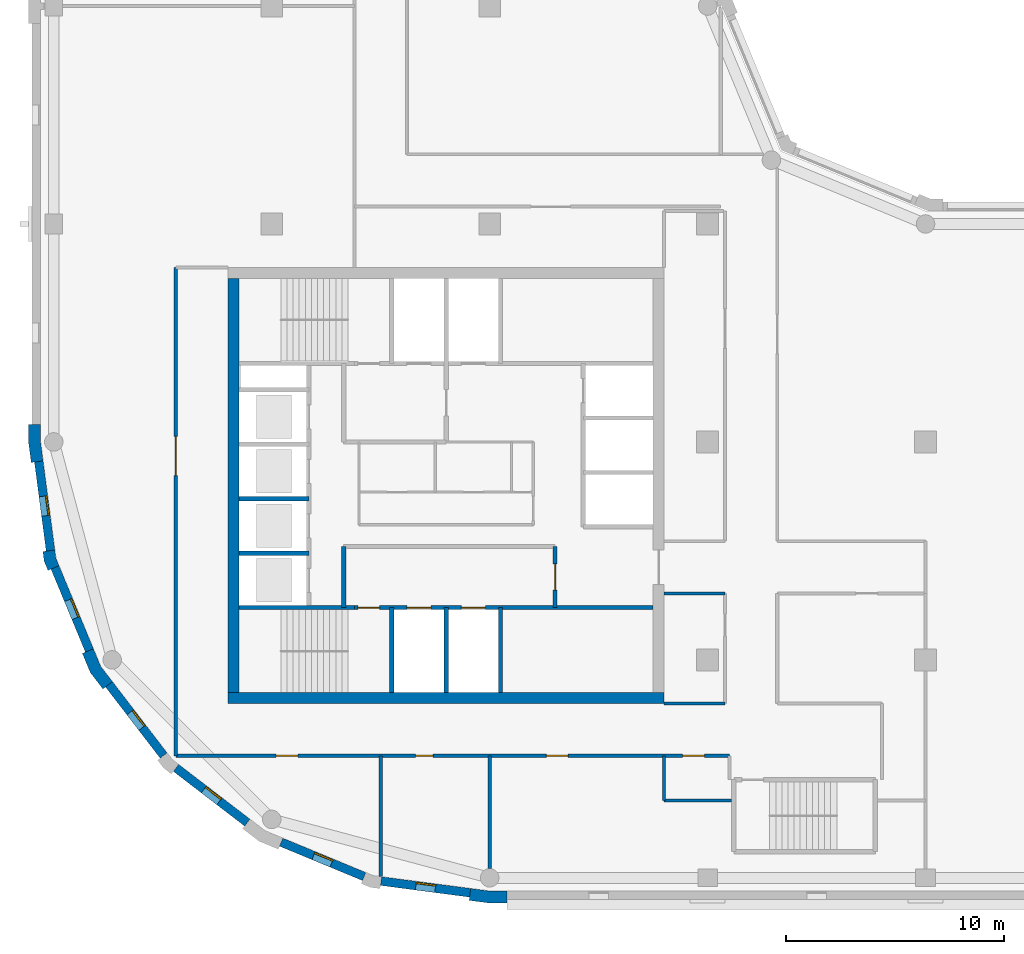
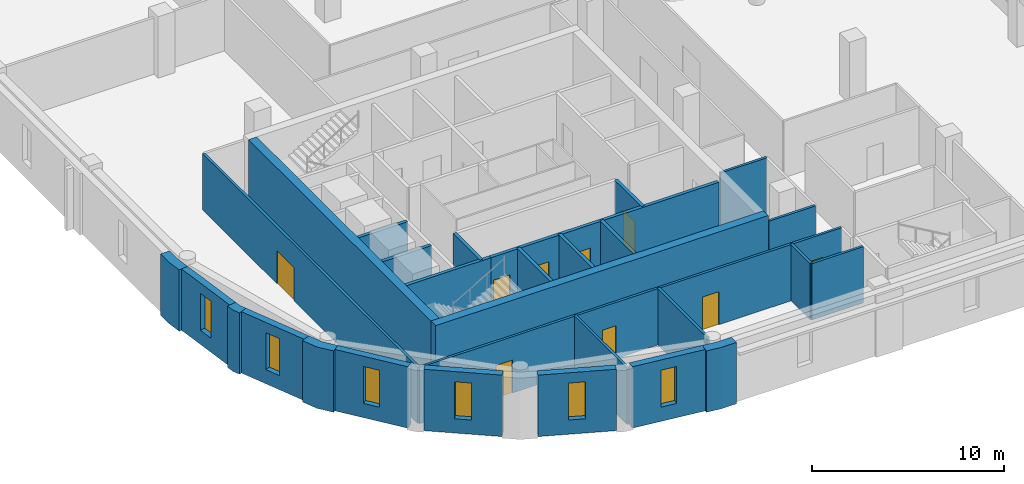
# One storey, part 2 of 9: 29 walls, 9 doors, 6 windows, 15 openings.
"""IFC4 building model written with IfcOpenShell, lengths in metres."""

from ifc_helpers import new_model, si_unit, direction, frame, frame_2d, origin, place, context, subcontext, project, spatial, polyline, rectangle, outline, extrude, material, layer, layer_set, type_object, element, fill, save


model = new_model("IFC4")

# Units and contexts
model_context = context("Model", 3, precision=1e-05, world=origin(), true_north=direction((0.0, 1.0)))
body_context = subcontext(model_context, "Body", "Model", "MODEL_VIEW")
ifc_project = project(units=[si_unit("LENGTHUNIT", "METRE"), si_unit("AREAUNIT", "SQUARE_METRE"), si_unit("VOLUMEUNIT", "CUBIC_METRE"), si_unit("PLANEANGLEUNIT", "RADIAN"), si_unit("MASSUNIT", "GRAM", prefix="KILO")], contexts=[model_context])

# Site, building, storey
site_placement = place(None, origin())
site = spatial("IfcSite", under=ifc_project, at=site_placement, CompositionType="ELEMENT")
building_placement = place(site_placement, origin())
building = spatial("IfcBuilding", under=site, at=building_placement, Name="Qaws Garden Tower", CompositionType="ELEMENT")
storey_placement = place(building_placement, frame((0.0, 0.0, 251.39990234375)))
storey = spatial("IfcBuildingStorey", under=building, at=storey_placement, Name="L60", CompositionType="ELEMENT", Elevation=251.39990234375)

# Wall, opening, window
ifc_material_1 = material(Name="Clay facing brick masonry", Category="masonry")
ifc_layer_1 = layer(ifc_material_1, 0.39990234375)
ifc_layer_set_1 = layer_set([ifc_layer_1], Name="Clay facing brick masonry")
wall_type_1 = type_object("IfcWallType", Name="Brick infill wall 400", PredefinedType="SOLIDWALL", material=ifc_layer_set_1)
wall_1_placement = place(storey_placement, frame((-0.688720703125, 19.102294921875, 0.0), z_axis=(0.0, 0.0, 1.0), x_axis=(0.130514280502, -0.991446429508, 0.0)))
wall_1 = element("IfcWall", 1, at=wall_1_placement, inside=storey, type_object=wall_type_1, Name="E-L60-infill-23", PredefinedType="SOLIDWALL", context=body_context, shape_type="SweptSolid", body=[
    extrude(rectangle(XDim=4.120849609375, YDim=0.39990234375, at=frame_2d((2.060546875, 0.0))), origin(), (0.0, 0.0, 1.0), 3.900146484375),
])
opening_1_placement = place(wall_1_placement, frame((1.610595703125, 0.0, 0.89990234375)))
opening_1 = element("IfcOpeningElement", 2, at=opening_1_placement, cuts=wall_1, Name="Opening W09", PredefinedType="OPENING", context=body_context, shape_type="SweptSolid", body=[
    extrude(rectangle(XDim=0.89990234375, YDim=2.35009765625, at=frame_2d((0.449951171875, 1.175048828125))), frame((0.0, 0.2099609375, 0.0), z_axis=(0.0, -1.0, 0.0), x_axis=(1.0, 0.0, 0.0)), (0.0, 0.0, 1.0), 0.419921875),
])
ifc_material_2 = material(Name="Aluminium framed window, clear glazing", Category="aluminium")
window_type = type_object("IfcWindowType", Name="Slit window 900 x 2350", PartitioningType="SINGLE_PANEL", PredefinedType="WINDOW", material=ifc_material_2)
window_1_placement = place(opening_1_placement, origin())
window_1 = element("IfcWindow", 3, at=window_1_placement, inside=storey, type_object=window_type, Name="E-L60-window-23-0", OverallHeight=2.35009765625, OverallWidth=0.89990234375, PartitioningType="SINGLE_PANEL", PredefinedType="WINDOW", context=body_context, shape_type="SweptSolid", body=[
    extrude(rectangle(XDim=0.89990234375, YDim=2.35009765625, at=frame_2d((0.449951171875, 1.175048828125))), frame((0.0, 0.159912109375, 0.0), z_axis=(0.0, -1.0, 0.0), x_axis=(1.0, 0.0, 0.0)), (0.0, 0.0, 1.0), 0.06005859375),
])
fill(opening_1, window_1)

wall_2_placement = place(storey_placement, frame((0.05712890625, 14.240234375, 0.0), z_axis=(0.0, 0.0, 1.0), x_axis=(0.382721546029, -0.923863744394, 0.0)))
wall_2 = element("IfcWall", 4, at=wall_2_placement, inside=storey, type_object=wall_type_1, Name="E-L60-infill-24", PredefinedType="SOLIDWALL", context=body_context, shape_type="SweptSolid", body=[
    extrude(rectangle(XDim=4.120849609375, YDim=0.39990234375, at=frame_2d((2.060546875, 0.0))), origin(), (0.0, 0.0, 1.0), 3.900146484375),
])
opening_2_placement = place(wall_2_placement, frame((1.610595703125, 0.0, 0.89990234375)))
opening_2 = element("IfcOpeningElement", 5, at=opening_2_placement, cuts=wall_2, Name="Opening W09", PredefinedType="OPENING", context=body_context, shape_type="SweptSolid", body=[
    extrude(rectangle(XDim=0.89990234375, YDim=2.35009765625, at=frame_2d((0.449951171875, 1.175048828125))), frame((0.0, 0.2099609375, 0.0), z_axis=(0.0, -1.0, 0.0), x_axis=(1.0, 0.0, 0.0)), (0.0, 0.0, 1.0), 0.419921875),
])
window_2_placement = place(opening_2_placement, origin())
window_2 = element("IfcWindow", 6, at=window_2_placement, inside=storey, type_object=window_type, Name="E-L60-window-24-0", OverallHeight=2.35009765625, OverallWidth=0.89990234375, PartitioningType="SINGLE_PANEL", PredefinedType="WINDOW", context=body_context, shape_type="SweptSolid", body=[
    extrude(rectangle(XDim=0.89990234375, YDim=2.35009765625, at=frame_2d((0.449951171875, 1.175048828125))), frame((0.0, 0.159912109375, 0.0), z_axis=(0.0, -1.0, 0.0), x_axis=(1.0, 0.0, 0.0)), (0.0, 0.0, 1.0), 0.06005859375),
])
fill(opening_2, window_2)

wall_3_placement = place(storey_placement, frame((2.53173828125, 8.87841796875, 0.0), z_axis=(0.0, 0.0, 1.0), x_axis=(0.608759824817, -0.793354571229, 0.0)))
wall_3 = element("IfcWall", 7, at=wall_3_placement, inside=storey, type_object=wall_type_1, Name="E-L60-infill-25", PredefinedType="SOLIDWALL", context=body_context, shape_type="SweptSolid", body=[
    extrude(rectangle(XDim=4.12109375, YDim=0.39990234375, at=frame_2d((2.060546875, 0.0))), origin(), (0.0, 0.0, 1.0), 3.900146484375),
])
opening_3_placement = place(wall_3_placement, frame((1.610595703125, 0.0, 0.89990234375)))
opening_3 = element("IfcOpeningElement", 8, at=opening_3_placement, cuts=wall_3, Name="Opening W09", PredefinedType="OPENING", context=body_context, shape_type="SweptSolid", body=[
    extrude(rectangle(XDim=0.89990234375, YDim=2.35009765625, at=frame_2d((0.449951171875, 1.175048828125))), frame((0.0, 0.2099609375, 0.0), z_axis=(0.0, -1.0, 0.0), x_axis=(1.0, 0.0, 0.0)), (0.0, 0.0, 1.0), 0.419921875),
])
window_3_placement = place(opening_3_placement, origin())
window_3 = element("IfcWindow", 9, at=window_3_placement, inside=storey, type_object=window_type, Name="E-L60-window-25-0", OverallHeight=2.35009765625, OverallWidth=0.89990234375, PartitioningType="SINGLE_PANEL", PredefinedType="WINDOW", context=body_context, shape_type="SweptSolid", body=[
    extrude(rectangle(XDim=0.89990234375, YDim=2.35009765625, at=frame_2d((0.449951171875, 1.175048828125))), frame((0.0, 0.159912109375, 0.0), z_axis=(0.0, -1.0, 0.0), x_axis=(1.0, 0.0, 0.0)), (0.0, 0.0, 1.0), 0.06005859375),
])
fill(opening_3, window_3)

wall_4_placement = place(storey_placement, frame((5.60888671875, 5.04052734375, 0.0), z_axis=(0.0, 0.0, 1.0), x_axis=(0.793354571229, -0.608759824817, 0.0)))
wall_4 = element("IfcWall", 10, at=wall_4_placement, inside=storey, type_object=wall_type_1, Name="E-L60-infill-26", PredefinedType="SOLIDWALL", context=body_context, shape_type="SweptSolid", body=[
    extrude(rectangle(XDim=4.12109375, YDim=0.39990234375, at=frame_2d((2.060546875, 0.0))), origin(), (0.0, 0.0, 1.0), 3.900146484375),
])
opening_4_placement = place(wall_4_placement, frame((1.610595703125, 0.0, 0.89990234375)))
opening_4 = element("IfcOpeningElement", 11, at=opening_4_placement, cuts=wall_4, Name="Opening W09", PredefinedType="OPENING", context=body_context, shape_type="SweptSolid", body=[
    extrude(rectangle(XDim=0.89990234375, YDim=2.35009765625, at=frame_2d((0.449951171875, 1.175048828125))), frame((0.0, 0.2099609375, 0.0), z_axis=(0.0, -1.0, 0.0), x_axis=(1.0, 0.0, 0.0)), (0.0, 0.0, 1.0), 0.419921875),
])
window_4_placement = place(opening_4_placement, origin())
window_4 = element("IfcWindow", 12, at=window_4_placement, inside=storey, type_object=window_type, Name="E-L60-window-26-0", OverallHeight=2.35009765625, OverallWidth=0.89990234375, PartitioningType="SINGLE_PANEL", PredefinedType="WINDOW", context=body_context, shape_type="SweptSolid", body=[
    extrude(rectangle(XDim=0.89990234375, YDim=2.35009765625, at=frame_2d((0.449951171875, 1.175048828125))), frame((0.0, 0.159912109375, 0.0), z_axis=(0.0, -1.0, 0.0), x_axis=(1.0, 0.0, 0.0)), (0.0, 0.0, 1.0), 0.06005859375),
])
fill(opening_4, window_4)

wall_5_placement = place(storey_placement, frame((10.43310546875, 1.63427734375, 0.0), z_axis=(0.0, 0.0, 1.0), x_axis=(0.923863744394, -0.382721546029, 0.0)))
wall_5 = element("IfcWall", 13, at=wall_5_placement, inside=storey, type_object=wall_type_1, Name="E-L60-infill-27", PredefinedType="SOLIDWALL", context=body_context, shape_type="SweptSolid", body=[
    extrude(rectangle(XDim=4.120849609375, YDim=0.39990234375, at=frame_2d((2.060546875, 0.0))), origin(), (0.0, 0.0, 1.0), 3.900146484375),
])
opening_5_placement = place(wall_5_placement, frame((1.610595703125, 0.0, 0.89990234375)))
opening_5 = element("IfcOpeningElement", 14, at=opening_5_placement, cuts=wall_5, Name="Opening W09", PredefinedType="OPENING", context=body_context, shape_type="SweptSolid", body=[
    extrude(rectangle(XDim=0.89990234375, YDim=2.35009765625, at=frame_2d((0.449951171875, 1.175048828125))), frame((0.0, 0.2099609375, 0.0), z_axis=(0.0, -1.0, 0.0), x_axis=(1.0, 0.0, 0.0)), (0.0, 0.0, 1.0), 0.419921875),
])
window_5_placement = place(opening_5_placement, origin())
window_5 = element("IfcWindow", 15, at=window_5_placement, inside=storey, type_object=window_type, Name="E-L60-window-27-0", OverallHeight=2.35009765625, OverallWidth=0.89990234375, PartitioningType="SINGLE_PANEL", PredefinedType="WINDOW", context=body_context, shape_type="SweptSolid", body=[
    extrude(rectangle(XDim=0.89990234375, YDim=2.35009765625, at=frame_2d((0.449951171875, 1.175048828125))), frame((0.0, 0.159912109375, 0.0), z_axis=(0.0, -1.0, 0.0), x_axis=(1.0, 0.0, 0.0)), (0.0, 0.0, 1.0), 0.06005859375),
])
fill(opening_5, window_5)

wall_6_placement = place(storey_placement, frame((15.0166015625, -0.15087890625, 0.0), z_axis=(0.0, 0.0, 1.0), x_axis=(0.991446429508, -0.130514280502, 0.0)))
wall_6 = element("IfcWall", 16, at=wall_6_placement, inside=storey, type_object=wall_type_1, Name="E-L60-infill-28", PredefinedType="SOLIDWALL", context=body_context, shape_type="SweptSolid", body=[
    extrude(rectangle(XDim=4.120849609375, YDim=0.39990234375, at=frame_2d((2.060546875, 0.0))), origin(), (0.0, 0.0, 1.0), 3.900146484375),
])
opening_6_placement = place(wall_6_placement, frame((1.610595703125, 0.0, 0.89990234375)))
opening_6 = element("IfcOpeningElement", 17, at=opening_6_placement, cuts=wall_6, Name="Opening W09", PredefinedType="OPENING", context=body_context, shape_type="SweptSolid", body=[
    extrude(rectangle(XDim=0.89990234375, YDim=2.35009765625, at=frame_2d((0.449951171875, 1.175048828125))), frame((0.0, 0.2099609375, 0.0), z_axis=(0.0, -1.0, 0.0), x_axis=(1.0, 0.0, 0.0)), (0.0, 0.0, 1.0), 0.419921875),
])
window_6_placement = place(opening_6_placement, origin())
window_6 = element("IfcWindow", 18, at=window_6_placement, inside=storey, type_object=window_type, Name="E-L60-window-28-0", OverallHeight=2.35009765625, OverallWidth=0.89990234375, PartitioningType="SINGLE_PANEL", PredefinedType="WINDOW", context=body_context, shape_type="SweptSolid", body=[
    extrude(rectangle(XDim=0.89990234375, YDim=2.35009765625, at=frame_2d((0.449951171875, 1.175048828125))), frame((0.0, 0.159912109375, 0.0), z_axis=(0.0, -1.0, 0.0), x_axis=(1.0, 0.0, 0.0)), (0.0, 0.0, 1.0), 0.06005859375),
])
fill(opening_6, window_6)

# Walls
ifc_material_3 = material(Name="Clay facing brick masonry", Category="masonry")
ifc_layer_2 = layer(ifc_material_3, 0.550048828125)
ifc_layer_set_2 = layer_set([ifc_layer_2], Name="Clay facing brick masonry")
wall_type_2 = type_object("IfcWallType", Name="Brick kink pier 550 x 600", PredefinedType="SOLIDWALL", material=ifc_layer_set_2)
placement = place(storey_placement, origin())
element("IfcWall", 19, at=placement, inside=storey, type_object=wall_type_2, Name="E-L60-pier-24", PredefinedType="SOLIDWALL", context=body_context, shape_type="SweptSolid", body=[
    extrude(outline(polyline([(-0.34912109375, 14.990478515625), (-0.497802734375, 14.970947265625), (-0.43896484375, 14.5234375), (-0.26611328125, 14.1064453125), (-0.127685546875, 14.163818359375), (0.241943359375, 14.31689453125), (0.096923828125, 14.6669921875), (0.04736328125, 15.042724609375), (-0.34912109375, 14.990478515625)])), origin(), (0.0, 0.0, 1.0), 3.900146484375),
])
ifc_material_4 = material(Name="Clay facing brick masonry", Category="masonry")
ifc_layer_3 = layer(ifc_material_4, 0.550048828125)
ifc_layer_set_3 = layer_set([ifc_layer_3], Name="Clay facing brick masonry")
wall_type_3 = type_object("IfcWallType", Name="Brick pier 550 x 1600", PredefinedType="SOLIDWALL", material=ifc_layer_set_3)
element("IfcWall", 20, at=placement, inside=storey, type_object=wall_type_3, Name="E-L60-pier-00", PredefinedType="SOLIDWALL", context=body_context, shape_type="SweptSolid", body=[
    extrude(outline(polyline([(19.076416015625, -0.886962890625), (19.056640625, -1.03564453125), (19.924560546875, -1.14990234375), (20.800048828125, -1.14990234375), (20.800048828125, -1.0), (20.800048828125, -0.60009765625), (19.960693359375, -0.60009765625), (19.12841796875, -0.490478515625), (19.076416015625, -0.886962890625)])), origin(), (0.0, 0.0, 1.0), 3.900146484375),
])
element("IfcWall", 21, at=placement, inside=storey, type_object=wall_type_3, Name="E-L60-pier-23", PredefinedType="SOLIDWALL", context=body_context, shape_type="SweptSolid", body=[
    extrude(outline(polyline([(-1.0, 20.800048828125), (-1.14990234375, 20.800048828125), (-1.14990234375, 19.924560546875), (-1.03564453125, 19.056640625), (-0.886962890625, 19.076416015625), (-0.490478515625, 19.12841796875), (-0.60009765625, 19.960693359375), (-0.60009765625, 20.800048828125), (-1.0, 20.800048828125)])), origin(), (0.0, 0.0, 1.0), 3.900146484375),
])
element("IfcWall", 22, at=placement, inside=storey, type_object=wall_type_3, Name="E-L60-pier-25", PredefinedType="SOLIDWALL", context=body_context, shape_type="SweptSolid", body=[
    extrude(outline(polyline([(1.449462890625, 10.3564453125), (1.310791015625, 10.299072265625), (1.675048828125, 9.419921875), (2.254150390625, 8.665283203125), (2.373046875, 8.756591796875), (2.6904296875, 9.0), (2.1552734375, 9.697509765625), (1.819091796875, 10.509521484375), (1.449462890625, 10.3564453125)])), origin(), (0.0, 0.0, 1.0), 3.900146484375),
])
ifc_material_5 = material(Name="Concrete C60", Category="concrete")
ifc_layer_4 = layer(ifc_material_5, 0.199951171875)
ifc_layer_set_4 = layer_set([ifc_layer_4], Name="Concrete C60")
wall_type_4 = type_object("IfcWallType", Name="Core shaft wall 200 C60", PredefinedType="SHEAR", material=ifc_layer_set_4)
wall_11_placement = place(storey_placement, frame((8.5, 12.39990234375, 0.0), z_axis=(0.0, 0.0, 1.0), x_axis=(1.0, 0.0, 0.0)))
element("IfcWall", 23, at=wall_11_placement, inside=storey, type_object=wall_type_4, Name="Shaft wall", PredefinedType="SHEAR", context=body_context, shape_type="SweptSolid", body=[
    extrude(rectangle(XDim=5.300048828125, YDim=0.199951171875, at=frame_2d((2.64990234375, 0.0))), origin(), (0.0, 0.0, 1.0), 3.580078125),
])

# Wall, openings, doors
wall_12_placement = place(storey_placement, frame((13.800048828125, 12.39990234375, 0.0), z_axis=(0.0, 0.0, 1.0), x_axis=(1.0, 0.0, 0.0)))
wall_12 = element("IfcWall", 24, at=wall_12_placement, inside=storey, type_object=wall_type_4, Name="Shaft wall", PredefinedType="SHEAR", context=body_context, shape_type="SweptSolid", body=[
    extrude(rectangle(XDim=13.699951171875, YDim=0.199951171875, at=frame_2d((6.85009765625, 0.0))), origin(), (0.0, 0.0, 1.0), 3.580078125),
])
opening_7_placement = place(wall_12_placement, frame((2.39990234375, 0.0, 0.0)))
opening_7 = element("IfcOpeningElement", 25, at=opening_7_placement, cuts=wall_12, Name="Opening LD06", PredefinedType="OPENING", context=body_context, shape_type="SweptSolid", body=[
    extrude(rectangle(XDim=1.10009765625, YDim=2.10009765625, at=frame_2d((0.550048828125, 1.050048828125))), frame((0.0, 0.10986328125, 0.0), z_axis=(0.0, -1.0, 0.0), x_axis=(1.0, 0.0, 0.0)), (0.0, 0.0, 1.0), 0.219970703125),
])
opening_8_placement = place(wall_12_placement, frame((4.89990234375, 0.0, 0.0)))
opening_8 = element("IfcOpeningElement", 26, at=opening_8_placement, cuts=wall_12, Name="Opening LD07", PredefinedType="OPENING", context=body_context, shape_type="SweptSolid", body=[
    extrude(rectangle(XDim=1.10009765625, YDim=2.10009765625, at=frame_2d((0.550048828125, 1.050048828125))), frame((0.0, 0.10986328125, 0.0), z_axis=(0.0, -1.0, 0.0), x_axis=(1.0, 0.0, 0.0)), (0.0, 0.0, 1.0), 0.219970703125),
])
opening_9_placement = place(wall_12_placement, frame((0.14990234375, 0.0, 0.0)))
opening_9 = element("IfcOpeningElement", 27, at=opening_9_placement, cuts=wall_12, Name="Opening SD10", PredefinedType="OPENING", context=body_context, shape_type="SweptSolid", body=[
    extrude(rectangle(XDim=1.0, YDim=2.10009765625, at=frame_2d((0.5, 1.050048828125))), frame((0.0, 0.10986328125, 0.0), z_axis=(0.0, -1.0, 0.0), x_axis=(1.0, 0.0, 0.0)), (0.0, 0.0, 1.0), 0.219970703125),
])
ifc_material_6 = material(Name="Steel S235", Category="steel")
door_type_1 = type_object("IfcDoorType", Name="Landing door 1100x2100", OperationType="DOUBLE_DOOR_SLIDING", PredefinedType="DOOR", material=ifc_material_6)
door_1_placement = place(opening_7_placement, origin())
door_1 = element("IfcDoor", 28, at=door_1_placement, inside=storey, type_object=door_type_1, Name="Lift FF1 landing door", OperationType="DOUBLE_DOOR_SLIDING", OverallHeight=2.10009765625, OverallWidth=1.10009765625, PredefinedType="DOOR", context=body_context, shape_type="SweptSolid", body=[
    extrude(rectangle(XDim=1.10009765625, YDim=2.10009765625, at=frame_2d((0.550048828125, 1.050048828125))), frame((0.0, 0.02490234375, 0.0), z_axis=(0.0, -1.0, 0.0), x_axis=(1.0, 0.0, 0.0)), (0.0, 0.0, 1.0), 0.050048828125),
])
fill(opening_7, door_1)
door_2_placement = place(opening_8_placement, origin())
door_2 = element("IfcDoor", 29, at=door_2_placement, inside=storey, type_object=door_type_1, Name="Lift FF2 landing door", OperationType="DOUBLE_DOOR_SLIDING", OverallHeight=2.10009765625, OverallWidth=1.10009765625, PredefinedType="DOOR", context=body_context, shape_type="SweptSolid", body=[
    extrude(rectangle(XDim=1.10009765625, YDim=2.10009765625, at=frame_2d((0.550048828125, 1.050048828125))), frame((0.0, 0.02490234375, 0.0), z_axis=(0.0, -1.0, 0.0), x_axis=(1.0, 0.0, 0.0)), (0.0, 0.0, 1.0), 0.050048828125),
])
fill(opening_8, door_2)
ifc_material_7 = material(Name="Steel S235", Category="steel")
door_type_2 = type_object("IfcDoorType", Name="Stair door 1000x2100", OperationType="SINGLE_SWING_RIGHT", PredefinedType="DOOR", material=ifc_material_7)
door_3_placement = place(opening_9_placement, frame((1.0, 0.0, 0.0), z_axis=(0.0, 0.0, 1.0), x_axis=(-1.0, 0.0, 0.0)))
door_3 = element("IfcDoor", 30, at=door_3_placement, inside=storey, type_object=door_type_2, Name="Stair 1 door", OperationType="SINGLE_SWING_LEFT", OverallHeight=2.10009765625, OverallWidth=1.0, PredefinedType="DOOR", context=body_context, shape_type="SweptSolid", body=[
    extrude(rectangle(XDim=1.0, YDim=2.10009765625, at=frame_2d((0.5, 1.050048828125))), frame((0.0, 0.02490234375, 0.0), z_axis=(0.0, -1.0, 0.0), x_axis=(1.0, 0.0, 0.0)), (0.0, 0.0, 1.0), 0.050048828125),
])
fill(opening_9, door_3)

# Walls
for number, where, z_axis, x_axis, name in (
    (31, (8.5, 14.89990234375, 0.0), (0.0, 0.0, 1.0), (1.0, 0.0, 0.0), "Shaft wall"),
    (32, (8.5, 17.39990234375, 0.0), (0.0, 0.0, 1.0), (1.0, 0.0, 0.0), "Shaft wall"),
):
    element("IfcWall", number, at=place(storey_placement, frame(where, z_axis=z_axis, x_axis=x_axis)), inside=storey, type_object=wall_type_4, Name=name, PredefinedType="SHEAR", context=body_context, shape_type="SweptSolid", body=[
        extrude(rectangle(XDim=3.199951171875, YDim=0.199951171875, at=frame_2d((1.60009765625, 0.0))), origin(), (0.0, 0.0, 1.0), 3.580078125),
    ])
wall_13_placement = place(storey_placement, frame((13.300048828125, 12.39990234375, 0.0), z_axis=(0.0, 0.0, 1.0), x_axis=(0.0, 1.0, 0.0)))
element("IfcWall", 33, at=wall_13_placement, inside=storey, type_object=wall_type_4, Name="Shaft wall", PredefinedType="SHEAR", context=body_context, shape_type="SweptSolid", body=[
    extrude(rectangle(XDim=2.800048828125, YDim=0.199951171875, at=frame_2d((1.39990234375, 0.0))), origin(), (0.0, 0.0, 1.0), 3.580078125),
])
for number, where, z_axis, x_axis, name in (
    (34, (15.5, 8.5, 0.0), (0.0, 0.0, 1.0), (0.0, 1.0, 0.0), "Shaft wall"),
    (35, (18.0, 8.5, 0.0), (0.0, 0.0, 1.0), (0.0, 1.0, 0.0), "Shaft wall"),
    (36, (20.5, 8.5, 0.0), (0.0, 0.0, 1.0), (0.0, 1.0, 0.0), "Shaft wall"),
):
    element("IfcWall", number, at=place(storey_placement, frame(where, z_axis=z_axis, x_axis=x_axis)), inside=storey, type_object=wall_type_4, Name=name, PredefinedType="SHEAR", context=body_context, shape_type="SweptSolid", body=[
        extrude(rectangle(XDim=3.89990234375, YDim=0.199951171875, at=frame_2d((1.949951171875, 0.0))), origin(), (0.0, 0.0, 1.0), 3.580078125),
    ])

# Wall, opening, door
wall_14_placement = place(storey_placement, frame((23.0, 12.39990234375, 0.0), z_axis=(0.0, 0.0, 1.0), x_axis=(0.0, 1.0, 0.0)))
wall_14 = element("IfcWall", 37, at=wall_14_placement, inside=storey, type_object=wall_type_4, Name="Shaft wall", PredefinedType="SHEAR", context=body_context, shape_type="SweptSolid", body=[
    extrude(rectangle(XDim=2.800048828125, YDim=0.199951171875, at=frame_2d((1.39990234375, 0.0))), origin(), (0.0, 0.0, 1.0), 3.580078125),
])
opening_10_placement = place(wall_14_placement, frame((0.800048828125, 0.0, 0.0)))
opening_10 = element("IfcOpeningElement", 38, at=opening_10_placement, cuts=wall_14, Name="Opening FD15", PredefinedType="OPENING", context=body_context, shape_type="SweptSolid", body=[
    extrude(rectangle(XDim=1.199951171875, YDim=2.10009765625, at=frame_2d((0.60009765625, 1.050048828125))), frame((0.0, 0.10986328125, 0.0), z_axis=(0.0, -1.0, 0.0), x_axis=(1.0, 0.0, 0.0)), (0.0, 0.0, 1.0), 0.219970703125),
])
ifc_material_8 = material(Name="Steel S235", Category="steel")
door_type_3 = type_object("IfcDoorType", Name="Lobby door 1200x2100", OperationType="DOUBLE_DOOR_SINGLE_SWING", PredefinedType="DOOR", material=ifc_material_8)
door_4_placement = place(opening_10_placement, origin())
door_4 = element("IfcDoor", 39, at=door_4_placement, inside=storey, type_object=door_type_3, Name="Fire-fighting lobby door", OperationType="DOUBLE_DOOR_SINGLE_SWING", OverallHeight=2.10009765625, OverallWidth=1.199951171875, PredefinedType="DOOR", context=body_context, shape_type="SweptSolid", body=[
    extrude(rectangle(XDim=1.199951171875, YDim=2.10009765625, at=frame_2d((0.60009765625, 1.050048828125))), frame((0.0, 0.02490234375, 0.0), z_axis=(0.0, -1.0, 0.0), x_axis=(1.0, 0.0, 0.0)), (0.0, 0.0, 1.0), 0.050048828125),
])
fill(opening_10, door_4)

# Walls
ifc_material_9 = material(Name="Concrete C60", Category="concrete")
ifc_layer_5 = layer(ifc_material_9, 0.5)
ifc_layer_set_5 = layer_set([ifc_layer_5], Name="Concrete C60")
wall_type_5 = type_object("IfcWallType", Name="Core wall 500 C60", PredefinedType="SHEAR", material=ifc_layer_set_5)
wall_15_placement = place(storey_placement, frame((8.0, 8.25, 0.0), z_axis=(0.0, 0.0, 1.0), x_axis=(1.0, 0.0, 0.0)))
element("IfcWall", 40, at=wall_15_placement, inside=storey, type_object=wall_type_5, Name="Core wall L60 south", PredefinedType="SHEAR", context=body_context, shape_type="SweptSolid", body=[
    extrude(rectangle(XDim=20.0, YDim=0.5, at=frame_2d((10.0, 0.0))), origin(), (0.0, 0.0, 1.0), 3.900146484375),
])
wall_16_placement = place(storey_placement, frame((8.25, 27.5, 0.0), z_axis=(0.0, 0.0, 1.0), x_axis=(0.0, -1.0, 0.0)))
element("IfcWall", 41, at=wall_16_placement, inside=storey, type_object=wall_type_5, Name="Core wall L60 west", PredefinedType="SHEAR", context=body_context, shape_type="SweptSolid", body=[
    extrude(rectangle(XDim=19.0, YDim=0.5, at=frame_2d((9.5, 0.0))), origin(), (0.0, 0.0, 1.0), 3.900146484375),
])

# Wall, opening, door
ifc_material_10 = material(Name="Gypsum board partition")
ifc_layer_6 = layer(ifc_material_10, 0.14990234375)
ifc_layer_set_6 = layer_set([ifc_layer_6], Name="Gypsum board partition")
wall_type_6 = type_object("IfcWallType", Name="PARTITION 150 EI 60", PredefinedType="PARTITIONING", material=ifc_layer_set_6)
wall_17_placement = place(storey_placement, frame((5.60009765625, 5.60009765625, 0.0), z_axis=(0.0, 0.0, 1.0), x_axis=(0.0, 1.0, 0.0)))
wall_17 = element("IfcWall", 42, at=wall_17_placement, inside=storey, type_object=wall_type_6, Name="O-L60-wall-004", PredefinedType="PARTITIONING", context=body_context, shape_type="SweptSolid", body=[
    extrude(rectangle(XDim=22.39990234375, YDim=0.14990234375, at=frame_2d((11.199951171875, 0.0))), origin(), (0.0, 0.0, 1.0), 3.580078125),
])
opening_11_placement = place(wall_17_placement, frame((12.85009765625, 0.0, 0.0)))
opening_11 = element("IfcOpeningElement", 43, at=opening_11_placement, cuts=wall_17, Name="Opening C114", PredefinedType="OPENING", context=body_context, shape_type="SweptSolid", body=[
    extrude(rectangle(XDim=1.800048828125, YDim=2.10009765625, at=frame_2d((0.89990234375, 1.050048828125))), frame((0.0, 0.0849609375, 0.0), z_axis=(0.0, -1.0, 0.0), x_axis=(1.0, 0.0, 0.0)), (0.0, 0.0, 1.0), 0.169921875),
])
ifc_material_11 = material(Name="Timber door leaf", Category="wood")
door_type_4 = type_object("IfcDoorType", Name="DOUBLE DOOR 1800 X 2100", OperationType="DOUBLE_DOOR_SINGLE_SWING", PredefinedType="DOOR", material=ifc_material_11)
door_5_placement = place(opening_11_placement, origin())
door_5 = element("IfcDoor", 44, at=door_5_placement, inside=storey, type_object=door_type_4, Name="O-L60-door-014", OperationType="DOUBLE_DOOR_SINGLE_SWING", OverallHeight=2.10009765625, OverallWidth=1.800048828125, PredefinedType="DOOR", context=body_context, shape_type="SweptSolid", body=[
    extrude(rectangle(XDim=1.800048828125, YDim=2.10009765625, at=frame_2d((0.89990234375, 1.050048828125))), frame((0.0, 0.02490234375, 0.0), z_axis=(0.0, -1.0, 0.0), x_axis=(1.0, 0.0, 0.0)), (0.0, 0.0, 1.0), 0.050048828125),
])
fill(opening_11, door_5)

# Walls
wall_18_placement = place(storey_placement, frame((15.0, 0.06298828125, 0.0), z_axis=(0.0, 0.0, 1.0), x_axis=(0.0, 1.0, 0.0)))
element("IfcWall", 45, at=wall_18_placement, inside=storey, type_object=wall_type_6, Name="O-L60-wall-007", PredefinedType="PARTITIONING", context=body_context, shape_type="SweptSolid", body=[
    extrude(rectangle(XDim=5.537109375, YDim=0.14990234375, at=frame_2d((2.7685546875, 0.0))), origin(), (0.0, 0.0, 1.0), 3.580078125),
])
wall_19_placement = place(storey_placement, frame((20.0, 0.425048828125, 0.0), z_axis=(0.0, 0.0, 1.0), x_axis=(0.0, 1.0, 0.0)))
element("IfcWall", 46, at=wall_19_placement, inside=storey, type_object=wall_type_6, Name="O-L60-wall-009", PredefinedType="PARTITIONING", context=body_context, shape_type="SweptSolid", body=[
    extrude(rectangle(XDim=5.175048828125, YDim=0.14990234375, at=frame_2d((2.58740234375, 0.0))), origin(), (0.0, 0.0, 1.0), 3.580078125),
])
wall_20_placement = place(storey_placement, frame((28.0, 3.550048828125, 0.0), z_axis=(0.0, 0.0, 1.0), x_axis=(0.0, 1.0, 0.0)))
element("IfcWall", 47, at=wall_20_placement, inside=storey, type_object=wall_type_6, Name="O-L60-wall-010", PredefinedType="PARTITIONING", context=body_context, shape_type="SweptSolid", body=[
    extrude(rectangle(XDim=2.050048828125, YDim=0.14990234375, at=frame_2d((1.02490234375, 0.0))), origin(), (0.0, 0.0, 1.0), 3.580078125),
])
wall_21_placement = place(storey_placement, frame((28.0, 3.550048828125, 0.0), z_axis=(0.0, 0.0, 1.0), x_axis=(1.0, 0.0, 0.0)))
element("IfcWall", 48, at=wall_21_placement, inside=storey, type_object=wall_type_6, Name="O-L60-wall-019", PredefinedType="PARTITIONING", context=body_context, shape_type="SweptSolid", body=[
    extrude(rectangle(XDim=3.10009765625, YDim=0.14990234375, at=frame_2d((1.550048828125, 0.0))), origin(), (0.0, 0.0, 1.0), 3.580078125),
])

# Wall, openings, doors
wall_22_placement = place(storey_placement, frame((5.60009765625, 5.60009765625, 0.0), z_axis=(0.0, 0.0, 1.0), x_axis=(1.0, 0.0, 0.0)))
wall_22 = element("IfcWall", 49, at=wall_22_placement, inside=storey, type_object=wall_type_6, Name="O-L60-wall-021", PredefinedType="PARTITIONING", context=body_context, shape_type="SweptSolid", body=[
    extrude(rectangle(XDim=25.39990234375, YDim=0.14990234375, at=frame_2d((12.699951171875, 0.0))), origin(), (0.0, 0.0, 1.0), 3.580078125),
])
opening_12_placement = place(wall_22_placement, frame((4.60009765625, 0.0, 0.0)))
opening_12 = element("IfcOpeningElement", 50, at=opening_12_placement, cuts=wall_22, Name="Opening C101", PredefinedType="OPENING", context=body_context, shape_type="SweptSolid", body=[
    extrude(rectangle(XDim=1.0, YDim=2.10009765625, at=frame_2d((0.5, 1.050048828125))), frame((0.0, 0.0849609375, 0.0), z_axis=(0.0, -1.0, 0.0), x_axis=(1.0, 0.0, 0.0)), (0.0, 0.0, 1.0), 0.169921875),
])
opening_13_placement = place(wall_22_placement, frame((11.0, 0.0, 0.0)))
opening_13 = element("IfcOpeningElement", 51, at=opening_13_placement, cuts=wall_22, Name="Opening C102", PredefinedType="OPENING", context=body_context, shape_type="SweptSolid", body=[
    extrude(rectangle(XDim=0.800048828125, YDim=2.10009765625, at=frame_2d((0.39990234375, 1.050048828125))), frame((0.0, 0.0849609375, 0.0), z_axis=(0.0, -1.0, 0.0), x_axis=(1.0, 0.0, 0.0)), (0.0, 0.0, 1.0), 0.169921875),
])
opening_14_placement = place(wall_22_placement, frame((17.0, 0.0, 0.0)))
opening_14 = element("IfcOpeningElement", 52, at=opening_14_placement, cuts=wall_22, Name="Opening C108", PredefinedType="OPENING", context=body_context, shape_type="SweptSolid", body=[
    extrude(rectangle(XDim=1.0, YDim=2.10009765625, at=frame_2d((0.5, 1.050048828125))), frame((0.0, 0.0849609375, 0.0), z_axis=(0.0, -1.0, 0.0), x_axis=(1.0, 0.0, 0.0)), (0.0, 0.0, 1.0), 0.169921875),
])
opening_15_placement = place(wall_22_placement, frame((23.25, 0.0, 0.0)))
opening_15 = element("IfcOpeningElement", 53, at=opening_15_placement, cuts=wall_22, Name="Opening C111", PredefinedType="OPENING", context=body_context, shape_type="SweptSolid", body=[
    extrude(rectangle(XDim=1.0, YDim=2.10009765625, at=frame_2d((0.5, 1.050048828125))), frame((0.0, 0.0849609375, 0.0), z_axis=(0.0, -1.0, 0.0), x_axis=(1.0, 0.0, 0.0)), (0.0, 0.0, 1.0), 0.169921875),
])
ifc_material_12 = material(Name="Timber door leaf", Category="wood")
door_type_5 = type_object("IfcDoorType", Name="STORE DOOR 800 X 2100", OperationType="SINGLE_SWING_LEFT", PredefinedType="DOOR", material=ifc_material_12)
door_6_placement = place(opening_13_placement, frame((0.800048828125, 0.0, 0.0), z_axis=(0.0, 0.0, 1.0), x_axis=(-1.0, 0.0, 0.0)))
door_6 = element("IfcDoor", 54, at=door_6_placement, inside=storey, type_object=door_type_5, Name="O-L60-door-002", OperationType="SINGLE_SWING_LEFT", OverallHeight=2.10009765625, OverallWidth=0.800048828125, PredefinedType="DOOR", context=body_context, shape_type="SweptSolid", body=[
    extrude(rectangle(XDim=0.800048828125, YDim=2.10009765625, at=frame_2d((0.39990234375, 1.050048828125))), frame((0.0, 0.02490234375, 0.0), z_axis=(0.0, -1.0, 0.0), x_axis=(1.0, 0.0, 0.0)), (0.0, 0.0, 1.0), 0.050048828125),
])
fill(opening_13, door_6)
ifc_material_13 = material(Name="Timber door leaf", Category="wood")
door_type_6 = type_object("IfcDoorType", Name="TENANCY ENTRANCE DOOR 1000 X 2100", OperationType="SINGLE_SWING_LEFT", PredefinedType="DOOR", material=ifc_material_13)
door_7_placement = place(opening_12_placement, frame((1.0, 0.0, 0.0), z_axis=(0.0, 0.0, 1.0), x_axis=(-1.0, 0.0, 0.0)))
door_7 = element("IfcDoor", 55, at=door_7_placement, inside=storey, type_object=door_type_6, Name="O-L60-door-001", OperationType="SINGLE_SWING_LEFT", OverallHeight=2.10009765625, OverallWidth=1.0, PredefinedType="DOOR", context=body_context, shape_type="SweptSolid", body=[
    extrude(rectangle(XDim=1.0, YDim=2.10009765625, at=frame_2d((0.5, 1.050048828125))), frame((0.0, 0.02490234375, 0.0), z_axis=(0.0, -1.0, 0.0), x_axis=(1.0, 0.0, 0.0)), (0.0, 0.0, 1.0), 0.050048828125),
])
fill(opening_12, door_7)
door_8_placement = place(opening_14_placement, frame((1.0, 0.0, 0.0), z_axis=(0.0, 0.0, 1.0), x_axis=(-1.0, 0.0, 0.0)))
door_8 = element("IfcDoor", 56, at=door_8_placement, inside=storey, type_object=door_type_6, Name="O-L60-door-008", OperationType="SINGLE_SWING_LEFT", OverallHeight=2.10009765625, OverallWidth=1.0, PredefinedType="DOOR", context=body_context, shape_type="SweptSolid", body=[
    extrude(rectangle(XDim=1.0, YDim=2.10009765625, at=frame_2d((0.5, 1.050048828125))), frame((0.0, 0.02490234375, 0.0), z_axis=(0.0, -1.0, 0.0), x_axis=(1.0, 0.0, 0.0)), (0.0, 0.0, 1.0), 0.050048828125),
])
fill(opening_14, door_8)
door_9_placement = place(opening_15_placement, frame((1.0, 0.0, 0.0), z_axis=(0.0, 0.0, 1.0), x_axis=(-1.0, 0.0, 0.0)))
door_9 = element("IfcDoor", 57, at=door_9_placement, inside=storey, type_object=door_type_6, Name="O-L60-door-011", OperationType="SINGLE_SWING_RIGHT", OverallHeight=2.10009765625, OverallWidth=1.0, PredefinedType="DOOR", context=body_context, shape_type="SweptSolid", body=[
    extrude(rectangle(XDim=1.0, YDim=2.10009765625, at=frame_2d((0.5, 1.050048828125))), frame((0.0, 0.02490234375, 0.0), z_axis=(0.0, -1.0, 0.0), x_axis=(1.0, 0.0, 0.0)), (0.0, 0.0, 1.0), 0.050048828125),
])
fill(opening_15, door_9)

# Walls
for number, where, z_axis, x_axis, name in (
    (58, (28.0, 8.0, 0.0), (0.0, 0.0, 1.0), (1.0, 0.0, 0.0), "O-L60-wall-022"),
    (59, (28.0, 13.050048828125, 0.0), (0.0, 0.0, 1.0), (1.0, 0.0, 0.0), "O-L60-wall-024"),
):
    element("IfcWall", number, at=place(storey_placement, frame(where, z_axis=z_axis, x_axis=x_axis)), inside=storey, type_object=wall_type_6, Name=name, PredefinedType="PARTITIONING", context=body_context, shape_type="SweptSolid", body=[
        extrude(rectangle(XDim=2.800048828125, YDim=0.14990234375, at=frame_2d((1.39990234375, 0.0))), origin(), (0.0, 0.0, 1.0), 3.580078125),
    ])

save(model, "model.ifc")
